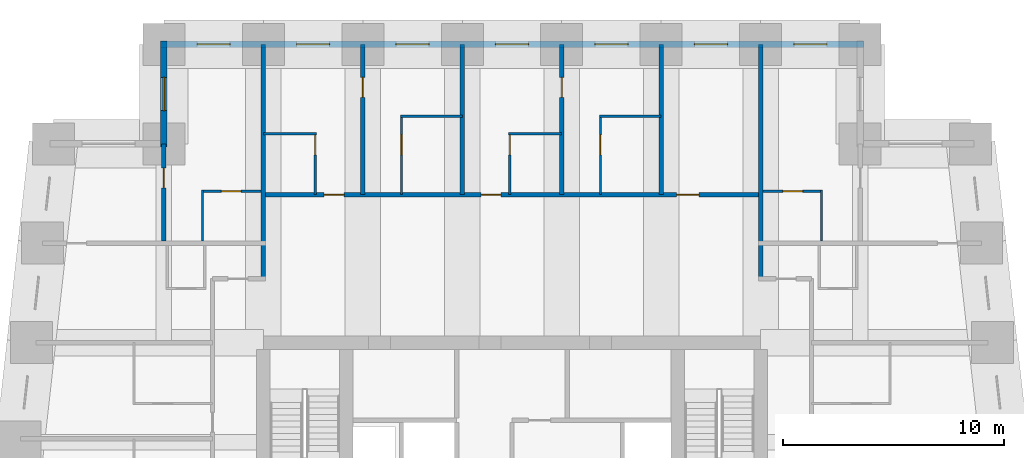
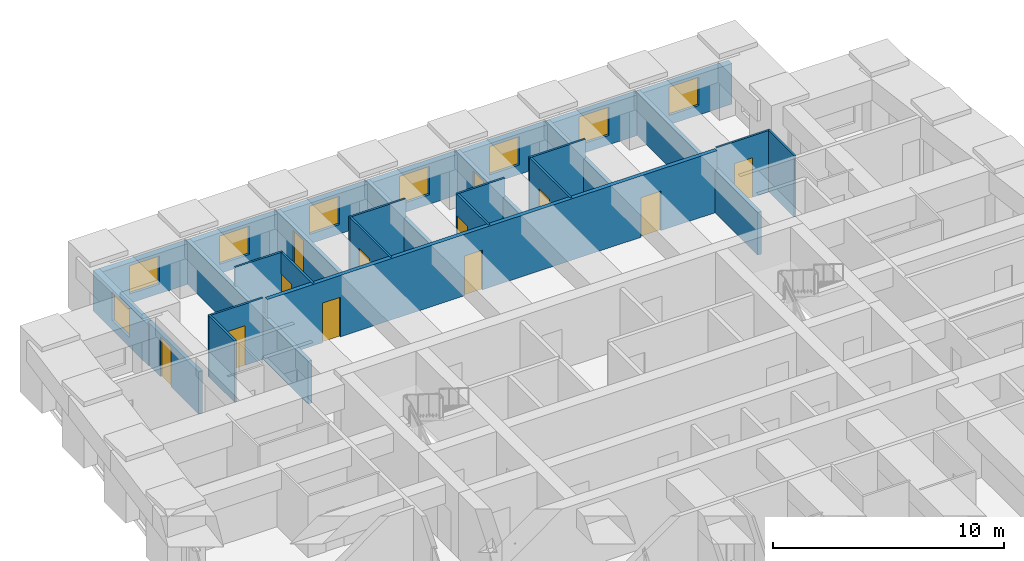
# One storey, part 6 of 8: 22 walls, 12 doors, 8 windows, 20 openings.
"""IFC4 building model written with IfcOpenShell, lengths in metres."""

from ifc_helpers import new_model, si_unit, direction, frame, frame_2d, origin, place, context, subcontext, project, spatial, rectangle, extrude, material, layer, layer_set, type_object, element, fill, save


model = new_model("IFC4")

# Units and contexts
model_context = context("Model", 3, precision=1e-05, world=origin(), true_north=direction((0.0, 1.0)))
body_context = subcontext(model_context, "Body", "Model", "MODEL_VIEW")
ifc_project = project(units=[si_unit("LENGTHUNIT", "METRE"), si_unit("AREAUNIT", "SQUARE_METRE"), si_unit("VOLUMEUNIT", "CUBIC_METRE"), si_unit("PLANEANGLEUNIT", "RADIAN"), si_unit("MASSUNIT", "GRAM", prefix="KILO")], contexts=[model_context])

# Site, building, storey
site_placement = place(None, origin())
site = spatial("IfcSite", under=ifc_project, at=site_placement, CompositionType="ELEMENT")
building_placement = place(site_placement, origin())
building = spatial("IfcBuilding", under=site, at=building_placement, Name="Kilele Tower Hotel", CompositionType="ELEMENT")
storey_placement = place(building_placement, frame((0.0, 0.0, 135.39990234375)))
storey = spatial("IfcBuildingStorey", under=building, at=storey_placement, Name="L35", CompositionType="ELEMENT", Elevation=135.39990234375)

# Wall
ifc_material_1 = material(Name="Moisture-resistant board")
ifc_layer_1 = layer(ifc_material_1, 0.10009765625)
ifc_layer_set_1 = layer_set([ifc_layer_1], Name="Moisture-resistant board")
wall_type_1 = type_object("IfcWallType", Name="Bathroom partition 100", PredefinedType="PLUMBINGWALL", material=ifc_layer_set_1)
wall_1_placement = place(storey_placement, frame((13.5, 36.449951171875, 0.0), z_axis=(0.0, 0.0, 1.0), x_axis=(1.0, 0.0, 0.0)))
element("IfcWall", 1, at=wall_1_placement, inside=storey, type_object=wall_type_1, Name="Bathroom partition 100 L35", PredefinedType="PLUMBINGWALL", context=body_context, shape_type="SweptSolid", body=[
    extrude(rectangle(XDim=2.39990234375, YDim=0.10009765625, at=frame_2d((1.199951171875, 0.0))), origin(), (0.0, 0.0, 1.0), 3.25),
])

# Wall, opening, door
wall_2_placement = place(storey_placement, frame((15.85009765625, 33.699951171875, 0.0), z_axis=(0.0, 0.0, 1.0), x_axis=(0.0, 1.0, 0.0)))
wall_2 = element("IfcWall", 2, at=wall_2_placement, inside=storey, type_object=wall_type_1, Name="Bathroom partition 100 L35", PredefinedType="PLUMBINGWALL", context=body_context, shape_type="SweptSolid", body=[
    extrude(rectangle(XDim=2.800048828125, YDim=0.10009765625, at=frame_2d((1.39990234375, 0.0))), origin(), (0.0, 0.0, 1.0), 3.25),
])
opening_1_placement = place(wall_2_placement, frame((2.699951171875, 0.0, 0.0), z_axis=(0.0, 0.0, 1.0), x_axis=(-1.0, 0.0, 0.0)))
opening_1 = element("IfcOpeningElement", 3, at=opening_1_placement, cuts=wall_2, Name="Opening D2A", PredefinedType="OPENING", context=body_context, shape_type="SweptSolid", body=[
    extrude(rectangle(XDim=0.89990234375, YDim=2.10009765625, at=frame_2d((0.449951171875, 1.050048828125))), frame((0.0, 0.06005859375, 0.0), z_axis=(0.0, -1.0, 0.0), x_axis=(1.0, 0.0, 0.0)), (0.0, 0.0, 1.0), 0.1201171875),
])
ifc_material_2 = material(Name="Timber door leaf in hardwood frame", Category="wood")
door_type_1 = type_object("IfcDoorType", Name="Bathroom door 900", OperationType="SINGLE_SWING_LEFT", PredefinedType="DOOR", material=ifc_material_2)
door_1_placement = place(opening_1_placement, origin())
door_1 = element("IfcDoor", 4, at=door_1_placement, inside=storey, type_object=door_type_1, Name="Bathroom door 3509B", OperationType="SINGLE_SWING_LEFT", OverallHeight=2.10009765625, OverallWidth=0.89990234375, PredefinedType="DOOR", context=body_context, shape_type="SweptSolid", body=[
    extrude(rectangle(XDim=0.89990234375, YDim=2.10009765625, at=frame_2d((0.449951171875, 1.050048828125))), frame((0.0, 0.02490234375, 0.0), z_axis=(0.0, -1.0, 0.0), x_axis=(1.0, 0.0, 0.0)), (0.0, 0.0, 1.0), 0.050048828125),
])
fill(opening_1, door_1)

# Wall
wall_3_placement = place(storey_placement, frame((19.699951171875, 37.25, 0.0), z_axis=(0.0, 0.0, 1.0), x_axis=(1.0, 0.0, 0.0)))
element("IfcWall", 5, at=wall_3_placement, inside=storey, type_object=wall_type_1, Name="Bathroom partition 100 L35", PredefinedType="PLUMBINGWALL", context=body_context, shape_type="SweptSolid", body=[
    extrude(rectangle(XDim=2.800048828125, YDim=0.10009765625, at=frame_2d((1.39990234375, 0.0))), origin(), (0.0, 0.0, 1.0), 3.25),
])

# Wall, opening, door
wall_4_placement = place(storey_placement, frame((19.75, 33.699951171875, 0.0), z_axis=(0.0, 0.0, 1.0), x_axis=(0.0, 1.0, 0.0)))
wall_4 = element("IfcWall", 6, at=wall_4_placement, inside=storey, type_object=wall_type_1, Name="Bathroom partition 100 L35", PredefinedType="PLUMBINGWALL", context=body_context, shape_type="SweptSolid", body=[
    extrude(rectangle(XDim=3.60009765625, YDim=0.10009765625, at=frame_2d((1.800048828125, 0.0))), origin(), (0.0, 0.0, 1.0), 3.25),
])
opening_2_placement = place(wall_4_placement, frame((1.800048828125, 0.0, 0.0)))
opening_2 = element("IfcOpeningElement", 7, at=opening_2_placement, cuts=wall_4, Name="Opening D2A", PredefinedType="OPENING", context=body_context, shape_type="SweptSolid", body=[
    extrude(rectangle(XDim=0.89990234375, YDim=2.10009765625, at=frame_2d((0.449951171875, 1.050048828125))), frame((0.0, 0.06005859375, 0.0), z_axis=(0.0, -1.0, 0.0), x_axis=(1.0, 0.0, 0.0)), (0.0, 0.0, 1.0), 0.1201171875),
])
door_2_placement = place(opening_2_placement, origin())
door_2 = element("IfcDoor", 8, at=door_2_placement, inside=storey, type_object=door_type_1, Name="Bathroom door 3510B", OperationType="SINGLE_SWING_RIGHT", OverallHeight=2.10009765625, OverallWidth=0.89990234375, PredefinedType="DOOR", context=body_context, shape_type="SweptSolid", body=[
    extrude(rectangle(XDim=0.89990234375, YDim=2.10009765625, at=frame_2d((0.449951171875, 1.050048828125))), frame((0.0, 0.02490234375, 0.0), z_axis=(0.0, -1.0, 0.0), x_axis=(1.0, 0.0, 0.0)), (0.0, 0.0, 1.0), 0.050048828125),
])
fill(opening_2, door_2)

# Wall
wall_5_placement = place(storey_placement, frame((24.60009765625, 36.449951171875, 0.0), z_axis=(0.0, 0.0, 1.0), x_axis=(1.0, 0.0, 0.0)))
element("IfcWall", 9, at=wall_5_placement, inside=storey, type_object=wall_type_1, Name="Bathroom partition 100 L35", PredefinedType="PLUMBINGWALL", context=body_context, shape_type="SweptSolid", body=[
    extrude(rectangle(XDim=2.39990234375, YDim=0.10009765625, at=frame_2d((1.199951171875, 0.0))), origin(), (0.0, 0.0, 1.0), 3.25),
])

# Wall, opening, door
wall_6_placement = place(storey_placement, frame((24.64990234375, 33.699951171875, 0.0), z_axis=(0.0, 0.0, 1.0), x_axis=(0.0, 1.0, 0.0)))
wall_6 = element("IfcWall", 10, at=wall_6_placement, inside=storey, type_object=wall_type_1, Name="Bathroom partition 100 L35", PredefinedType="PLUMBINGWALL", context=body_context, shape_type="SweptSolid", body=[
    extrude(rectangle(XDim=2.800048828125, YDim=0.10009765625, at=frame_2d((1.39990234375, 0.0))), origin(), (0.0, 0.0, 1.0), 3.25),
])
opening_3_placement = place(wall_6_placement, frame((1.800048828125, 0.0, 0.0)))
opening_3 = element("IfcOpeningElement", 11, at=opening_3_placement, cuts=wall_6, Name="Opening D2A", PredefinedType="OPENING", context=body_context, shape_type="SweptSolid", body=[
    extrude(rectangle(XDim=0.89990234375, YDim=2.10009765625, at=frame_2d((0.449951171875, 1.050048828125))), frame((0.0, 0.06005859375, 0.0), z_axis=(0.0, -1.0, 0.0), x_axis=(1.0, 0.0, 0.0)), (0.0, 0.0, 1.0), 0.1201171875),
])
door_3_placement = place(opening_3_placement, origin())
door_3 = element("IfcDoor", 12, at=door_3_placement, inside=storey, type_object=door_type_1, Name="Bathroom door 3511B", OperationType="SINGLE_SWING_RIGHT", OverallHeight=2.10009765625, OverallWidth=0.89990234375, PredefinedType="DOOR", context=body_context, shape_type="SweptSolid", body=[
    extrude(rectangle(XDim=0.89990234375, YDim=2.10009765625, at=frame_2d((0.449951171875, 1.050048828125))), frame((0.0, 0.02490234375, 0.0), z_axis=(0.0, -1.0, 0.0), x_axis=(1.0, 0.0, 0.0)), (0.0, 0.0, 1.0), 0.050048828125),
])
fill(opening_3, door_3)

# Wall
wall_7_placement = place(storey_placement, frame((28.699951171875, 37.25, 0.0), z_axis=(0.0, 0.0, 1.0), x_axis=(1.0, 0.0, 0.0)))
element("IfcWall", 13, at=wall_7_placement, inside=storey, type_object=wall_type_1, Name="Bathroom partition 100 L35", PredefinedType="PLUMBINGWALL", context=body_context, shape_type="SweptSolid", body=[
    extrude(rectangle(XDim=2.800048828125, YDim=0.10009765625, at=frame_2d((1.39990234375, 0.0))), origin(), (0.0, 0.0, 1.0), 3.25),
])

# Wall, opening, door
wall_8_placement = place(storey_placement, frame((28.75, 33.699951171875, 0.0), z_axis=(0.0, 0.0, 1.0), x_axis=(0.0, 1.0, 0.0)))
wall_8 = element("IfcWall", 14, at=wall_8_placement, inside=storey, type_object=wall_type_1, Name="Bathroom partition 100 L35", PredefinedType="PLUMBINGWALL", context=body_context, shape_type="SweptSolid", body=[
    extrude(rectangle(XDim=3.60009765625, YDim=0.10009765625, at=frame_2d((1.800048828125, 0.0))), origin(), (0.0, 0.0, 1.0), 3.25),
])
opening_4_placement = place(wall_8_placement, frame((1.800048828125, 0.0, 0.0)))
opening_4 = element("IfcOpeningElement", 15, at=opening_4_placement, cuts=wall_8, Name="Opening D2A", PredefinedType="OPENING", context=body_context, shape_type="SweptSolid", body=[
    extrude(rectangle(XDim=0.89990234375, YDim=2.10009765625, at=frame_2d((0.449951171875, 1.050048828125))), frame((0.0, 0.06005859375, 0.0), z_axis=(0.0, -1.0, 0.0), x_axis=(1.0, 0.0, 0.0)), (0.0, 0.0, 1.0), 0.1201171875),
])
door_4_placement = place(opening_4_placement, origin())
door_4 = element("IfcDoor", 16, at=door_4_placement, inside=storey, type_object=door_type_1, Name="Bathroom door 3512B", OperationType="SINGLE_SWING_RIGHT", OverallHeight=2.10009765625, OverallWidth=0.89990234375, PredefinedType="DOOR", context=body_context, shape_type="SweptSolid", body=[
    extrude(rectangle(XDim=0.89990234375, YDim=2.10009765625, at=frame_2d((0.449951171875, 1.050048828125))), frame((0.0, 0.02490234375, 0.0), z_axis=(0.0, -1.0, 0.0), x_axis=(1.0, 0.0, 0.0)), (0.0, 0.0, 1.0), 0.050048828125),
])
fill(opening_4, door_4)

# Wall
wall_9_placement = place(storey_placement, frame((38.75, 31.60009765625, 0.0), z_axis=(0.0, 0.0, 1.0), x_axis=(0.0, 1.0, 0.0)))
element("IfcWall", 17, at=wall_9_placement, inside=storey, type_object=wall_type_1, Name="Bathroom partition 100 L35", PredefinedType="PLUMBINGWALL", context=body_context, shape_type="SweptSolid", body=[
    extrude(rectangle(XDim=2.2998046875, YDim=0.10009765625, at=frame_2d((1.14990234375, 0.0))), origin(), (0.0, 0.0, 1.0), 3.25),
])

# Wall, opening, door
wall_10_placement = place(storey_placement, frame((36.10009765625, 33.85009765625, 0.0), z_axis=(0.0, 0.0, 1.0), x_axis=(1.0, 0.0, 0.0)))
wall_10 = element("IfcWall", 18, at=wall_10_placement, inside=storey, type_object=wall_type_1, Name="Bathroom partition 100 L35", PredefinedType="PLUMBINGWALL", context=body_context, shape_type="SweptSolid", body=[
    extrude(rectangle(XDim=2.699951171875, YDim=0.10009765625, at=frame_2d((1.35009765625, 0.0))), origin(), (0.0, 0.0, 1.0), 3.25),
])
opening_5_placement = place(wall_10_placement, frame((0.89990234375, 0.0, 0.0)))
opening_5 = element("IfcOpeningElement", 19, at=opening_5_placement, cuts=wall_10, Name="Opening D2A", PredefinedType="OPENING", context=body_context, shape_type="SweptSolid", body=[
    extrude(rectangle(XDim=0.89990234375, YDim=2.10009765625, at=frame_2d((0.449951171875, 1.050048828125))), frame((0.0, 0.06005859375, 0.0), z_axis=(0.0, -1.0, 0.0), x_axis=(1.0, 0.0, 0.0)), (0.0, 0.0, 1.0), 0.1201171875),
])
door_5_placement = place(opening_5_placement, origin())
door_5 = element("IfcDoor", 20, at=door_5_placement, inside=storey, type_object=door_type_1, Name="Bathroom door 3524B", OperationType="SINGLE_SWING_LEFT", OverallHeight=2.10009765625, OverallWidth=0.89990234375, PredefinedType="DOOR", context=body_context, shape_type="SweptSolid", body=[
    extrude(rectangle(XDim=0.89990234375, YDim=2.10009765625, at=frame_2d((0.449951171875, 1.050048828125))), frame((0.0, 0.02490234375, 0.0), z_axis=(0.0, -1.0, 0.0), x_axis=(1.0, 0.0, 0.0)), (0.0, 0.0, 1.0), 0.050048828125),
])
fill(opening_5, door_5)

# Wall
wall_11_placement = place(storey_placement, frame((10.75, 31.60009765625, 0.0), z_axis=(0.0, 0.0, 1.0), x_axis=(0.0, 1.0, 0.0)))
element("IfcWall", 21, at=wall_11_placement, inside=storey, type_object=wall_type_1, Name="Bathroom partition 100 L35", PredefinedType="PLUMBINGWALL", context=body_context, shape_type="SweptSolid", body=[
    extrude(rectangle(XDim=2.2998046875, YDim=0.10009765625, at=frame_2d((1.14990234375, 0.0))), origin(), (0.0, 0.0, 1.0), 3.25),
])

# Wall, opening, door
wall_12_placement = place(storey_placement, frame((13.39990234375, 33.85009765625, 0.0), z_axis=(0.0, 0.0, 1.0), x_axis=(-1.0, 0.0, 0.0)))
wall_12 = element("IfcWall", 22, at=wall_12_placement, inside=storey, type_object=wall_type_1, Name="Bathroom partition 100 L35", PredefinedType="PLUMBINGWALL", context=body_context, shape_type="SweptSolid", body=[
    extrude(rectangle(XDim=2.699951171875, YDim=0.10009765625, at=frame_2d((1.35009765625, 0.0))), origin(), (0.0, 0.0, 1.0), 3.25),
])
opening_6_placement = place(wall_12_placement, frame((1.7998046875, 0.0, 0.0), z_axis=(0.0, 0.0, 1.0), x_axis=(-1.0, 0.0, 0.0)))
opening_6 = element("IfcOpeningElement", 23, at=opening_6_placement, cuts=wall_12, Name="Opening D2A", PredefinedType="OPENING", context=body_context, shape_type="SweptSolid", body=[
    extrude(rectangle(XDim=0.89990234375, YDim=2.10009765625, at=frame_2d((0.449951171875, 1.050048828125))), frame((0.0, 0.06005859375, 0.0), z_axis=(0.0, -1.0, 0.0), x_axis=(1.0, 0.0, 0.0)), (0.0, 0.0, 1.0), 0.1201171875),
])
door_6_placement = place(opening_6_placement, origin())
door_6 = element("IfcDoor", 24, at=door_6_placement, inside=storey, type_object=door_type_1, Name="Bathroom door 3527B", OperationType="SINGLE_SWING_RIGHT", OverallHeight=2.10009765625, OverallWidth=0.89990234375, PredefinedType="DOOR", context=body_context, shape_type="SweptSolid", body=[
    extrude(rectangle(XDim=0.89990234375, YDim=2.10009765625, at=frame_2d((0.449951171875, 1.050048828125))), frame((0.0, 0.02490234375, 0.0), z_axis=(0.0, -1.0, 0.0), x_axis=(1.0, 0.0, 0.0)), (0.0, 0.0, 1.0), 0.050048828125),
])
fill(opening_6, door_6)

# Wall, openings, doors
ifc_material_3 = material(Name="Blockwork, plastered both sides", Category="masonry")
ifc_layer_2 = layer(ifc_material_3, 0.199951171875)
ifc_layer_set_2 = layer_set([ifc_layer_2], Name="Blockwork, plastered both sides")
wall_type_2 = type_object("IfcWallType", Name="Corridor wall 200", PredefinedType="PARTITIONING", material=ifc_layer_set_2)
wall_13_placement = place(storey_placement, frame((13.5, 33.699951171875, 0.0), z_axis=(0.0, 0.0, 1.0), x_axis=(1.0, 0.0, 0.0)))
wall_13 = element("IfcWall", 25, at=wall_13_placement, inside=storey, type_object=wall_type_2, Name="Corridor wall 200 L35", PredefinedType="PARTITIONING", context=body_context, shape_type="SweptSolid", body=[
    extrude(rectangle(XDim=22.5, YDim=0.199951171875, at=frame_2d((11.25, 0.0))), origin(), (0.0, 0.0, 1.0), 3.25),
])
opening_7_placement = place(wall_13_placement, frame((2.75, 0.0, 0.0)))
opening_7 = element("IfcOpeningElement", 26, at=opening_7_placement, cuts=wall_13, Name="Opening D1", PredefinedType="OPENING", context=body_context, shape_type="SweptSolid", body=[
    extrude(rectangle(XDim=0.89990234375, YDim=2.10009765625, at=frame_2d((0.449951171875, 1.050048828125))), frame((0.0, 0.10986328125, 0.0), z_axis=(0.0, -1.0, 0.0), x_axis=(1.0, 0.0, 0.0)), (0.0, 0.0, 1.0), 0.219970703125),
])
opening_8_placement = place(wall_13_placement, frame((9.85009765625, 0.0, 0.0)))
opening_8 = element("IfcOpeningElement", 27, at=opening_8_placement, cuts=wall_13, Name="Opening D1", PredefinedType="OPENING", context=body_context, shape_type="SweptSolid", body=[
    extrude(rectangle(XDim=0.89990234375, YDim=2.10009765625, at=frame_2d((0.449951171875, 1.050048828125))), frame((0.0, 0.10986328125, 0.0), z_axis=(0.0, -1.0, 0.0), x_axis=(1.0, 0.0, 0.0)), (0.0, 0.0, 1.0), 0.219970703125),
])
opening_9_placement = place(wall_13_placement, frame((18.699951171875, 0.0, 0.0)))
opening_9 = element("IfcOpeningElement", 28, at=opening_9_placement, cuts=wall_13, Name="Opening D8", PredefinedType="OPENING", context=body_context, shape_type="SweptSolid", body=[
    extrude(rectangle(XDim=1.0, YDim=2.10009765625, at=frame_2d((0.5, 1.050048828125))), frame((0.0, 0.10986328125, 0.0), z_axis=(0.0, -1.0, 0.0), x_axis=(1.0, 0.0, 0.0)), (0.0, 0.0, 1.0), 0.219970703125),
])
ifc_material_4 = material(Name="Timber door leaf in hardwood frame", Category="wood")
door_type_2 = type_object("IfcDoorType", Name="Door 1000", OperationType="SINGLE_SWING_LEFT", PredefinedType="DOOR", material=ifc_material_4)
door_7_placement = place(opening_9_placement, origin())
door_7 = element("IfcDoor", 29, at=door_7_placement, inside=storey, type_object=door_type_2, Name="Room entrance 3513", OperationType="SINGLE_SWING_LEFT", OverallHeight=2.10009765625, OverallWidth=1.0, PredefinedType="DOOR", context=body_context, shape_type="SweptSolid", body=[
    extrude(rectangle(XDim=1.0, YDim=2.10009765625, at=frame_2d((0.5, 1.050048828125))), frame((0.0, 0.02490234375, 0.0), z_axis=(0.0, -1.0, 0.0), x_axis=(1.0, 0.0, 0.0)), (0.0, 0.0, 1.0), 0.050048828125),
])
fill(opening_9, door_7)
ifc_material_5 = material(Name="Timber door leaf in hardwood frame", Category="wood")
door_type_3 = type_object("IfcDoorType", Name="Guest room entrance door 900", OperationType="SINGLE_SWING_LEFT", PredefinedType="DOOR", material=ifc_material_5)
door_8_placement = place(opening_7_placement, origin())
door_8 = element("IfcDoor", 30, at=door_8_placement, inside=storey, type_object=door_type_3, Name="Room entrance 3509", OperationType="SINGLE_SWING_LEFT", OverallHeight=2.10009765625, OverallWidth=0.89990234375, PredefinedType="DOOR", context=body_context, shape_type="SweptSolid", body=[
    extrude(rectangle(XDim=0.89990234375, YDim=2.10009765625, at=frame_2d((0.449951171875, 1.050048828125))), frame((0.0, 0.02490234375, 0.0), z_axis=(0.0, -1.0, 0.0), x_axis=(1.0, 0.0, 0.0)), (0.0, 0.0, 1.0), 0.050048828125),
])
fill(opening_7, door_8)
door_9_placement = place(opening_8_placement, origin())
door_9 = element("IfcDoor", 31, at=door_9_placement, inside=storey, type_object=door_type_3, Name="Room entrance 3511", OperationType="SINGLE_SWING_RIGHT", OverallHeight=2.10009765625, OverallWidth=0.89990234375, PredefinedType="DOOR", context=body_context, shape_type="SweptSolid", body=[
    extrude(rectangle(XDim=0.89990234375, YDim=2.10009765625, at=frame_2d((0.449951171875, 1.050048828125))), frame((0.0, 0.02490234375, 0.0), z_axis=(0.0, -1.0, 0.0), x_axis=(1.0, 0.0, 0.0)), (0.0, 0.0, 1.0), 0.050048828125),
])
fill(opening_8, door_9)

# Wall, opening, door
ifc_material_6 = material(Name="Blockwork, plastered both sides", Category="masonry")
ifc_layer_3 = layer(ifc_material_6, 0.199951171875)
ifc_layer_set_3 = layer_set([ifc_layer_3], Name="Blockwork, plastered both sides")
wall_type_3 = type_object("IfcWallType", Name="Partition wall 200", PredefinedType="PARTITIONING", material=ifc_layer_set_3)
wall_14_placement = place(storey_placement, frame((9.0, 31.60009765625, 0.0), z_axis=(0.0, 0.0, 1.0), x_axis=(0.0, 1.0, 0.0)))
wall_14 = element("IfcWall", 32, at=wall_14_placement, inside=storey, type_object=wall_type_3, Name="Partition wall 200 L35", PredefinedType="PARTITIONING", context=body_context, shape_type="SweptSolid", body=[
    extrude(rectangle(XDim=4.39990234375, YDim=0.199951171875, at=frame_2d((2.199951171875, 0.0))), origin(), (0.0, 0.0, 1.0), 2.25),
])
opening_10_placement = place(wall_14_placement, frame((2.39990234375, 0.0, 0.0)))
opening_10 = element("IfcOpeningElement", 33, at=opening_10_placement, cuts=wall_14, Name="Opening D3", PredefinedType="OPENING", context=body_context, shape_type="SweptSolid", body=[
    extrude(rectangle(XDim=0.89990234375, YDim=2.10009765625, at=frame_2d((0.449951171875, 1.050048828125))), frame((0.0, 0.10986328125, 0.0), z_axis=(0.0, -1.0, 0.0), x_axis=(1.0, 0.0, 0.0)), (0.0, 0.0, 1.0), 0.219970703125),
])
ifc_material_7 = material(Name="Timber door leaf in hardwood frame", Category="wood")
door_type_4 = type_object("IfcDoorType", Name="Suite internal door 900", OperationType="SINGLE_SWING_LEFT", PredefinedType="DOOR", material=ifc_material_7)
door_10_placement = place(opening_10_placement, origin())
door_10 = element("IfcDoor", 34, at=door_10_placement, inside=storey, type_object=door_type_4, Name="Suite door 3528", OperationType="SINGLE_SWING_RIGHT", OverallHeight=2.10009765625, OverallWidth=0.89990234375, PredefinedType="DOOR", context=body_context, shape_type="SweptSolid", body=[
    extrude(rectangle(XDim=0.89990234375, YDim=2.10009765625, at=frame_2d((0.449951171875, 1.050048828125))), frame((0.0, 0.02490234375, 0.0), z_axis=(0.0, -1.0, 0.0), x_axis=(1.0, 0.0, 0.0)), (0.0, 0.0, 1.0), 0.050048828125),
])
fill(opening_10, door_10)

ifc_material_8 = material(Name="Blockwork, plastered both sides", Category="masonry")
ifc_layer_4 = layer(ifc_material_8, 0.199951171875)
ifc_layer_set_4 = layer_set([ifc_layer_4], Name="Blockwork, plastered both sides")
wall_type_4 = type_object("IfcWallType", Name="Party wall 200", PredefinedType="PARTITIONING", material=ifc_layer_set_4)
wall_15_placement = place(storey_placement, frame((18.0, 33.699951171875, 0.0), z_axis=(0.0, 0.0, 1.0), x_axis=(0.0, 1.0, 0.0)))
wall_15 = element("IfcWall", 35, at=wall_15_placement, inside=storey, type_object=wall_type_4, Name="Party wall 200 L35", PredefinedType="PARTITIONING", context=body_context, shape_type="SweptSolid", body=[
    extrude(rectangle(XDim=6.800048828125, YDim=0.199951171875, at=frame_2d((3.39990234375, 0.0))), origin(), (0.0, 0.0, 1.0), 2.25),
])
opening_11_placement = place(wall_15_placement, frame((4.39990234375, 0.0, 0.0)))
opening_11 = element("IfcOpeningElement", 36, at=opening_11_placement, cuts=wall_15, Name="Opening D3", PredefinedType="OPENING", context=body_context, shape_type="SweptSolid", body=[
    extrude(rectangle(XDim=0.89990234375, YDim=2.10009765625, at=frame_2d((0.449951171875, 1.050048828125))), frame((0.0, 0.10986328125, 0.0), z_axis=(0.0, -1.0, 0.0), x_axis=(1.0, 0.0, 0.0)), (0.0, 0.0, 1.0), 0.219970703125),
])
door_11_placement = place(opening_11_placement, origin())
door_11 = element("IfcDoor", 37, at=door_11_placement, inside=storey, type_object=door_type_4, Name="Suite door 3510", OperationType="SINGLE_SWING_RIGHT", OverallHeight=2.10009765625, OverallWidth=0.89990234375, PredefinedType="DOOR", context=body_context, shape_type="SweptSolid", body=[
    extrude(rectangle(XDim=0.89990234375, YDim=2.10009765625, at=frame_2d((0.449951171875, 1.050048828125))), frame((0.0, 0.02490234375, 0.0), z_axis=(0.0, -1.0, 0.0), x_axis=(1.0, 0.0, 0.0)), (0.0, 0.0, 1.0), 0.050048828125),
])
fill(opening_11, door_11)

# Wall
wall_16_placement = place(storey_placement, frame((22.5, 33.699951171875, 0.0), z_axis=(0.0, 0.0, 1.0), x_axis=(0.0, 1.0, 0.0)))
element("IfcWall", 38, at=wall_16_placement, inside=storey, type_object=wall_type_4, Name="Party wall 200 L35", PredefinedType="PARTITIONING", context=body_context, shape_type="SweptSolid", body=[
    extrude(rectangle(XDim=6.800048828125, YDim=0.199951171875, at=frame_2d((3.39990234375, 0.0))), origin(), (0.0, 0.0, 1.0), 2.25),
])

# Wall, opening, door
wall_17_placement = place(storey_placement, frame((27.0, 33.699951171875, 0.0), z_axis=(0.0, 0.0, 1.0), x_axis=(0.0, 1.0, 0.0)))
wall_17 = element("IfcWall", 39, at=wall_17_placement, inside=storey, type_object=wall_type_4, Name="Party wall 200 L35", PredefinedType="PARTITIONING", context=body_context, shape_type="SweptSolid", body=[
    extrude(rectangle(XDim=6.800048828125, YDim=0.199951171875, at=frame_2d((3.39990234375, 0.0))), origin(), (0.0, 0.0, 1.0), 2.25),
])
opening_12_placement = place(wall_17_placement, frame((4.39990234375, 0.0, 0.0)))
opening_12 = element("IfcOpeningElement", 40, at=opening_12_placement, cuts=wall_17, Name="Opening D3", PredefinedType="OPENING", context=body_context, shape_type="SweptSolid", body=[
    extrude(rectangle(XDim=0.89990234375, YDim=2.10009765625, at=frame_2d((0.449951171875, 1.050048828125))), frame((0.0, 0.10986328125, 0.0), z_axis=(0.0, -1.0, 0.0), x_axis=(1.0, 0.0, 0.0)), (0.0, 0.0, 1.0), 0.219970703125),
])
door_12_placement = place(opening_12_placement, origin())
door_12 = element("IfcDoor", 41, at=door_12_placement, inside=storey, type_object=door_type_4, Name="Suite door 3512", OperationType="SINGLE_SWING_RIGHT", OverallHeight=2.10009765625, OverallWidth=0.89990234375, PredefinedType="DOOR", context=body_context, shape_type="SweptSolid", body=[
    extrude(rectangle(XDim=0.89990234375, YDim=2.10009765625, at=frame_2d((0.449951171875, 1.050048828125))), frame((0.0, 0.02490234375, 0.0), z_axis=(0.0, -1.0, 0.0), x_axis=(1.0, 0.0, 0.0)), (0.0, 0.0, 1.0), 0.050048828125),
])
fill(opening_12, door_12)

# Walls
wall_18_placement = place(storey_placement, frame((31.5, 33.699951171875, 0.0), z_axis=(0.0, 0.0, 1.0), x_axis=(0.0, 1.0, 0.0)))
element("IfcWall", 42, at=wall_18_placement, inside=storey, type_object=wall_type_4, Name="Party wall 200 L35", PredefinedType="PARTITIONING", context=body_context, shape_type="SweptSolid", body=[
    extrude(rectangle(XDim=6.800048828125, YDim=0.199951171875, at=frame_2d((3.39990234375, 0.0))), origin(), (0.0, 0.0, 1.0), 2.25),
])
for number, where, z_axis, x_axis, name in (
    (43, (36.0, 29.89990234375, 0.0), (0.0, 0.0, 1.0), (0.0, 1.0, 0.0), "Party wall 200 L35"),
    (44, (13.5, 29.89990234375, 0.0), (0.0, 0.0, 1.0), (0.0, 1.0, 0.0), "Party wall 200 L35"),
):
    element("IfcWall", number, at=place(storey_placement, frame(where, z_axis=z_axis, x_axis=x_axis)), inside=storey, type_object=wall_type_4, Name=name, PredefinedType="PARTITIONING", context=body_context, shape_type="SweptSolid", body=[
        extrude(rectangle(XDim=10.60009765625, YDim=0.199951171875, at=frame_2d((5.300048828125, 0.0))), origin(), (0.0, 0.0, 1.0), 2.25),
    ])

# Wall, openings, windows
ifc_material_9 = material(Name="Concrete C40/50 precast", Category="concrete")
ifc_layer_5 = layer(ifc_material_9, 0.260009765625, Name="Precast backing", Category="LoadBearing")
ifc_material_10 = material(Name="Reconstituted stone finish", Category="masonry")
ifc_layer_6 = layer(ifc_material_10, 0.0400390625, Name="Face mix", Category="Finish")
ifc_layer_set_5 = layer_set([ifc_layer_5, ifc_layer_6], Name="Precast concrete C40/50, reconstituted stone finish")
wall_type_5 = type_object("IfcWallType", Name="Precast stone facade wall 300", PredefinedType="STANDARD", material=ifc_layer_set_5)
wall_19_placement = place(storey_placement, frame((40.64990234375, 40.5, 0.0), z_axis=(0.0, 0.0, 1.0), x_axis=(-1.0, 0.0, 0.0)))
wall_19 = element("IfcWall", 45, at=wall_19_placement, inside=storey, type_object=wall_type_5, Name="Facade wall L35 edge 9", PredefinedType="STANDARD", context=body_context, shape_type="SweptSolid", body=[
    extrude(rectangle(XDim=31.7998046875, YDim=0.300048828125, at=frame_2d((15.89990234375, 0.0))), origin(), (0.0, 0.0, 1.0), 2.150146484375),
])
opening_13_placement = place(wall_19_placement, frame((1.64990234375, 0.0, 0.5)))
opening_13 = element("IfcOpeningElement", 46, at=opening_13_placement, cuts=wall_19, Name="Opening W2", PredefinedType="OPENING", context=body_context, shape_type="SweptSolid", body=[
    extrude(rectangle(XDim=1.5, YDim=1.5, at=frame_2d((0.75, 0.75))), frame((0.0, 0.159912109375, 0.0), z_axis=(0.0, -1.0, 0.0), x_axis=(1.0, 0.0, 0.0)), (0.0, 0.0, 1.0), 0.320068359375),
])
opening_14_placement = place(wall_19_placement, frame((6.14990234375, 0.0, 0.5)))
opening_14 = element("IfcOpeningElement", 47, at=opening_14_placement, cuts=wall_19, Name="Opening W2", PredefinedType="OPENING", context=body_context, shape_type="SweptSolid", body=[
    extrude(rectangle(XDim=1.5, YDim=1.5, at=frame_2d((0.75, 0.75))), frame((0.0, 0.159912109375, 0.0), z_axis=(0.0, -1.0, 0.0), x_axis=(1.0, 0.0, 0.0)), (0.0, 0.0, 1.0), 0.320068359375),
])
opening_15_placement = place(wall_19_placement, frame((10.64990234375, 0.0, 0.5)))
opening_15 = element("IfcOpeningElement", 48, at=opening_15_placement, cuts=wall_19, Name="Opening W2", PredefinedType="OPENING", context=body_context, shape_type="SweptSolid", body=[
    extrude(rectangle(XDim=1.5, YDim=1.5, at=frame_2d((0.75, 0.75))), frame((0.0, 0.159912109375, 0.0), z_axis=(0.0, -1.0, 0.0), x_axis=(1.0, 0.0, 0.0)), (0.0, 0.0, 1.0), 0.320068359375),
])
opening_16_placement = place(wall_19_placement, frame((15.14990234375, 0.0, 0.5)))
opening_16 = element("IfcOpeningElement", 49, at=opening_16_placement, cuts=wall_19, Name="Opening W2", PredefinedType="OPENING", context=body_context, shape_type="SweptSolid", body=[
    extrude(rectangle(XDim=1.5, YDim=1.5, at=frame_2d((0.75, 0.75))), frame((0.0, 0.159912109375, 0.0), z_axis=(0.0, -1.0, 0.0), x_axis=(1.0, 0.0, 0.0)), (0.0, 0.0, 1.0), 0.320068359375),
])
opening_17_placement = place(wall_19_placement, frame((19.64990234375, 0.0, 0.5)))
opening_17 = element("IfcOpeningElement", 50, at=opening_17_placement, cuts=wall_19, Name="Opening W2", PredefinedType="OPENING", context=body_context, shape_type="SweptSolid", body=[
    extrude(rectangle(XDim=1.5, YDim=1.5, at=frame_2d((0.75, 0.75))), frame((0.0, 0.159912109375, 0.0), z_axis=(0.0, -1.0, 0.0), x_axis=(1.0, 0.0, 0.0)), (0.0, 0.0, 1.0), 0.320068359375),
])
opening_18_placement = place(wall_19_placement, frame((24.14990234375, 0.0, 0.5)))
opening_18 = element("IfcOpeningElement", 51, at=opening_18_placement, cuts=wall_19, Name="Opening W2", PredefinedType="OPENING", context=body_context, shape_type="SweptSolid", body=[
    extrude(rectangle(XDim=1.5, YDim=1.5, at=frame_2d((0.75, 0.75))), frame((0.0, 0.159912109375, 0.0), z_axis=(0.0, -1.0, 0.0), x_axis=(1.0, 0.0, 0.0)), (0.0, 0.0, 1.0), 0.320068359375),
])
opening_19_placement = place(wall_19_placement, frame((28.64990234375, 0.0, 0.5)))
opening_19 = element("IfcOpeningElement", 52, at=opening_19_placement, cuts=wall_19, Name="Opening W2", PredefinedType="OPENING", context=body_context, shape_type="SweptSolid", body=[
    extrude(rectangle(XDim=1.5, YDim=1.5, at=frame_2d((0.75, 0.75))), frame((0.0, 0.159912109375, 0.0), z_axis=(0.0, -1.0, 0.0), x_axis=(1.0, 0.0, 0.0)), (0.0, 0.0, 1.0), 0.320068359375),
])
ifc_material_11 = material(Name="Aluminium frame, clear double glazing", Category="aluminium")
window_type = type_object("IfcWindowType", Name="Window W2 1500 x 1500", PartitioningType="SINGLE_PANEL", PredefinedType="WINDOW", material=ifc_material_11)
window_1_placement = place(opening_13_placement, origin())
window_1 = element("IfcWindow", 53, at=window_1_placement, inside=storey, type_object=window_type, Name="Window L35", OverallHeight=1.5, OverallWidth=1.5, PartitioningType="SINGLE_PANEL", PredefinedType="WINDOW", context=body_context, shape_type="SweptSolid", body=[
    extrude(rectangle(XDim=1.5, YDim=1.5, at=frame_2d((0.75, 0.75))), frame((0.0, 0.030029296875, 0.0), z_axis=(0.0, -1.0, 0.0), x_axis=(1.0, 0.0, 0.0)), (0.0, 0.0, 1.0), 0.06005859375),
])
fill(opening_13, window_1)
window_2_placement = place(opening_14_placement, origin())
window_2 = element("IfcWindow", 54, at=window_2_placement, inside=storey, type_object=window_type, Name="Window L35", OverallHeight=1.5, OverallWidth=1.5, PartitioningType="SINGLE_PANEL", PredefinedType="WINDOW", context=body_context, shape_type="SweptSolid", body=[
    extrude(rectangle(XDim=1.5, YDim=1.5, at=frame_2d((0.75, 0.75))), frame((0.0, 0.030029296875, 0.0), z_axis=(0.0, -1.0, 0.0), x_axis=(1.0, 0.0, 0.0)), (0.0, 0.0, 1.0), 0.06005859375),
])
fill(opening_14, window_2)
window_3_placement = place(opening_15_placement, origin())
window_3 = element("IfcWindow", 55, at=window_3_placement, inside=storey, type_object=window_type, Name="Window L35", OverallHeight=1.5, OverallWidth=1.5, PartitioningType="SINGLE_PANEL", PredefinedType="WINDOW", context=body_context, shape_type="SweptSolid", body=[
    extrude(rectangle(XDim=1.5, YDim=1.5, at=frame_2d((0.75, 0.75))), frame((0.0, 0.030029296875, 0.0), z_axis=(0.0, -1.0, 0.0), x_axis=(1.0, 0.0, 0.0)), (0.0, 0.0, 1.0), 0.06005859375),
])
fill(opening_15, window_3)
window_4_placement = place(opening_16_placement, origin())
window_4 = element("IfcWindow", 56, at=window_4_placement, inside=storey, type_object=window_type, Name="Window L35", OverallHeight=1.5, OverallWidth=1.5, PartitioningType="SINGLE_PANEL", PredefinedType="WINDOW", context=body_context, shape_type="SweptSolid", body=[
    extrude(rectangle(XDim=1.5, YDim=1.5, at=frame_2d((0.75, 0.75))), frame((0.0, 0.030029296875, 0.0), z_axis=(0.0, -1.0, 0.0), x_axis=(1.0, 0.0, 0.0)), (0.0, 0.0, 1.0), 0.06005859375),
])
fill(opening_16, window_4)
window_5_placement = place(opening_17_placement, origin())
window_5 = element("IfcWindow", 57, at=window_5_placement, inside=storey, type_object=window_type, Name="Window L35", OverallHeight=1.5, OverallWidth=1.5, PartitioningType="SINGLE_PANEL", PredefinedType="WINDOW", context=body_context, shape_type="SweptSolid", body=[
    extrude(rectangle(XDim=1.5, YDim=1.5, at=frame_2d((0.75, 0.75))), frame((0.0, 0.030029296875, 0.0), z_axis=(0.0, -1.0, 0.0), x_axis=(1.0, 0.0, 0.0)), (0.0, 0.0, 1.0), 0.06005859375),
])
fill(opening_17, window_5)
window_6_placement = place(opening_18_placement, origin())
window_6 = element("IfcWindow", 58, at=window_6_placement, inside=storey, type_object=window_type, Name="Window L35", OverallHeight=1.5, OverallWidth=1.5, PartitioningType="SINGLE_PANEL", PredefinedType="WINDOW", context=body_context, shape_type="SweptSolid", body=[
    extrude(rectangle(XDim=1.5, YDim=1.5, at=frame_2d((0.75, 0.75))), frame((0.0, 0.030029296875, 0.0), z_axis=(0.0, -1.0, 0.0), x_axis=(1.0, 0.0, 0.0)), (0.0, 0.0, 1.0), 0.06005859375),
])
fill(opening_18, window_6)
window_7_placement = place(opening_19_placement, origin())
window_7 = element("IfcWindow", 59, at=window_7_placement, inside=storey, type_object=window_type, Name="Window L35", OverallHeight=1.5, OverallWidth=1.5, PartitioningType="SINGLE_PANEL", PredefinedType="WINDOW", context=body_context, shape_type="SweptSolid", body=[
    extrude(rectangle(XDim=1.5, YDim=1.5, at=frame_2d((0.75, 0.75))), frame((0.0, 0.030029296875, 0.0), z_axis=(0.0, -1.0, 0.0), x_axis=(1.0, 0.0, 0.0)), (0.0, 0.0, 1.0), 0.06005859375),
])
fill(opening_19, window_7)

# Wall, opening, window
wall_20_placement = place(storey_placement, frame((9.0, 40.64990234375, 0.0), z_axis=(0.0, 0.0, 1.0), x_axis=(0.0, -1.0, 0.0)))
wall_20 = element("IfcWall", 60, at=wall_20_placement, inside=storey, type_object=wall_type_5, Name="Facade wall L35 edge 10", PredefinedType="STANDARD", context=body_context, shape_type="SweptSolid", body=[
    extrude(rectangle(XDim=4.7998046875, YDim=0.300048828125, at=frame_2d((2.39990234375, 0.0))), origin(), (0.0, 0.0, 1.0), 2.150146484375),
])
opening_20_placement = place(wall_20_placement, frame((1.64990234375, 0.0, 0.5)))
opening_20 = element("IfcOpeningElement", 61, at=opening_20_placement, cuts=wall_20, Name="Opening W2", PredefinedType="OPENING", context=body_context, shape_type="SweptSolid", body=[
    extrude(rectangle(XDim=1.5, YDim=1.5, at=frame_2d((0.75, 0.75))), frame((0.0, 0.159912109375, 0.0), z_axis=(0.0, -1.0, 0.0), x_axis=(1.0, 0.0, 0.0)), (0.0, 0.0, 1.0), 0.320068359375),
])
window_8_placement = place(opening_20_placement, origin())
window_8 = element("IfcWindow", 62, at=window_8_placement, inside=storey, type_object=window_type, Name="Window L35", OverallHeight=1.5, OverallWidth=1.5, PartitioningType="SINGLE_PANEL", PredefinedType="WINDOW", context=body_context, shape_type="SweptSolid", body=[
    extrude(rectangle(XDim=1.5, YDim=1.5, at=frame_2d((0.75, 0.75))), frame((0.0, 0.030029296875, 0.0), z_axis=(0.0, -1.0, 0.0), x_axis=(1.0, 0.0, 0.0)), (0.0, 0.0, 1.0), 0.06005859375),
])
fill(opening_20, window_8)

save(model, "model.ifc")
